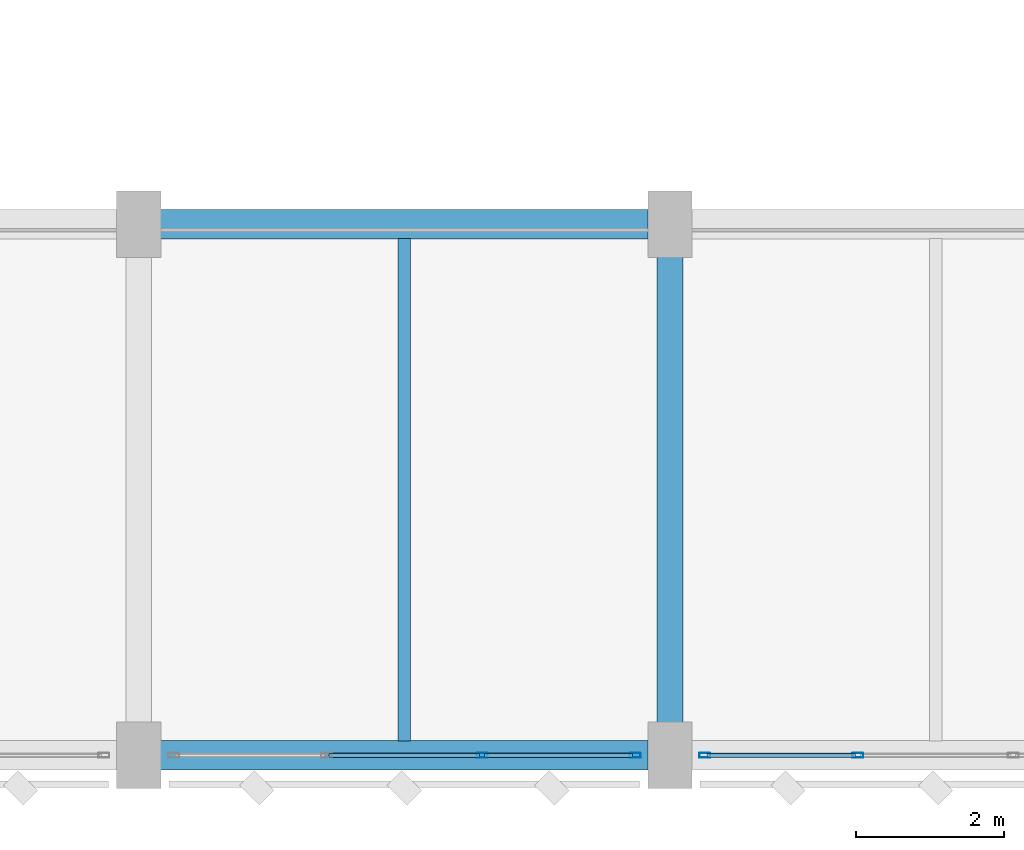
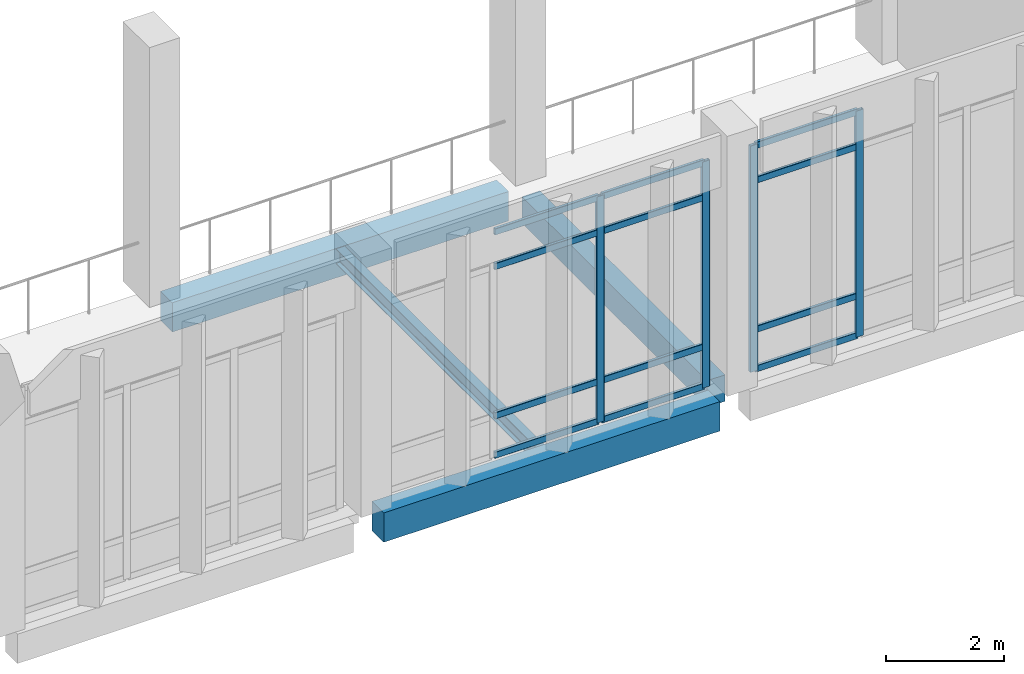
# One storey, part 99 of 180: 16 members, 4 beams, 2 elements without a shape of their own.
"""IFC4 building model written with IfcOpenShell, lengths in metres."""

from ifc_helpers import new_model, si_unit, direction, frame, origin, origin_2d, place, context, subcontext, project, spatial, rectangle, hollow_rectangle, i_section, extrude, material, material_profile, profile_set, type_object, element, aggregate, save


model = new_model("IFC4")

# Units and contexts
model_context = context("Model", 3, precision=1e-05, world=origin(), true_north=direction((0.0, 1.0)))
body_context = subcontext(model_context, "Body", "Model", "MODEL_VIEW")
ifc_project = project(units=[si_unit("LENGTHUNIT", "METRE"), si_unit("AREAUNIT", "SQUARE_METRE"), si_unit("VOLUMEUNIT", "CUBIC_METRE"), si_unit("PLANEANGLEUNIT", "RADIAN"), si_unit("MASSUNIT", "GRAM", prefix="KILO")], contexts=[model_context])

# Site, building, storey
site_placement = place(None, origin())
site = spatial("IfcSite", under=ifc_project, at=site_placement, CompositionType="ELEMENT")
building_placement = place(site_placement, origin())
building = spatial("IfcBuilding", under=site, at=building_placement, Name="Lusvemor Sports Hall", CompositionType="ELEMENT")
storey_placement = place(building_placement, frame((0.0, 0.0, 5.39990234375)))
storey = spatial("IfcBuildingStorey", under=building, at=storey_placement, Name="L01", CompositionType="ELEMENT", Elevation=5.39990234375)

# Beam
ifc_material_1 = material(Name="Concrete C40/50", Category="concrete")
ifc_material_profile_1 = material_profile(ifc_material_1, rectangle(XDim=0.35009765625, YDim=0.550048828125, at=origin_2d()), Name="RC350x550")
ifc_profile_set_1 = profile_set([ifc_material_profile_1], Name="Concrete C40/50")
beam_type_1 = type_object("IfcBeamType", Name="BEAM_RC_550", PredefinedType="BEAM", material=ifc_profile_set_1)
beam_1_placement = place(storey_placement, frame((154.800048828125, 0.446044921875, -0.534912109375), z_axis=(0.0, 1.0, 0.0), x_axis=(-1.0, 0.0, 0.0)))
element("IfcBeam", 1, at=beam_1_placement, inside=storey, type_object=beam_type_1, Name="Beam L01 18:A-B", PredefinedType="BEAM", context=body_context, shape_type="SweptSolid", body=[
    extrude(rectangle(XDim=0.35009765625, YDim=0.550048828125, at=origin_2d()), origin(), (0.0, 0.0, 1.0), 6.307861328125),
])

# Curtain wall, members
ifc_material_2 = material(Name="Thermally broken bronze-anodized aluminium", Category="aluminium")
curtain_wall_type = type_object("IfcCurtainWallType", Name="CW_COURT_C", PredefinedType="NOTDEFINED", material=ifc_material_2)
curtain_wall_1_placement = place(storey_placement, origin())
curtain_wall_1 = element("IfcCurtainWall", 2, at=curtain_wall_1_placement, inside=storey, type_object=curtain_wall_type, Name="Curtain Wall CW-V2S-L01-4", PredefinedType="NOTDEFINED")
ifc_material_3 = material(Name="Thermally broken bronze-anodized aluminium", Category="aluminium")
ifc_material_profile_2 = material_profile(ifc_material_3, hollow_rectangle(XDim=0.06494140625, YDim=0.14990234375, WallThickness=0.00390625, InnerFilletRadius=0.00390625, OuterFilletRadius=0.008056640625, at=origin_2d()), Name="CWMUL150x65x4")
ifc_profile_set_2 = profile_set([ifc_material_profile_2], Name="Thermally broken bronze-anodized aluminium")
member_type_1 = type_object("IfcMemberType", Name="CW_MUL_B", PredefinedType="MULLION", material=ifc_profile_set_2)
member_1_placement = place(storey_placement, frame((154.327392578125, 0.0, 0.0), z_axis=(0.0, 0.0, 1.0), x_axis=(0.0, -1.0, 0.0)))
member_1 = element("IfcMember", 3, at=member_1_placement, type_object=member_type_1, Name="CW03 mullion 1", PredefinedType="MULLION", context=body_context, shape_type="SweptSolid", body=[
    extrude(hollow_rectangle(XDim=0.06494140625, YDim=0.14990234375, WallThickness=0.00390625, InnerFilletRadius=0.00390625, OuterFilletRadius=0.008056640625, at=origin_2d()), origin(), (0.0, 0.0, 1.0), 4.7001953125),
])
member_2_placement = place(storey_placement, frame((152.25341796875, 0.0, 0.0), z_axis=(0.0, 0.0, 1.0), x_axis=(0.0, -1.0, 0.0)))
member_2 = element("IfcMember", 4, at=member_2_placement, type_object=member_type_1, Name="CW03 mullion 2", PredefinedType="MULLION", context=body_context, shape_type="SweptSolid", body=[
    extrude(hollow_rectangle(XDim=0.06494140625, YDim=0.14990234375, WallThickness=0.00390625, InnerFilletRadius=0.00390625, OuterFilletRadius=0.008056640625, at=origin_2d()), origin(), (0.0, 0.0, 1.0), 4.7001953125),
])

curtain_wall_2_placement = place(storey_placement, origin())
curtain_wall_2 = element("IfcCurtainWall", 5, at=curtain_wall_2_placement, inside=storey, type_object=curtain_wall_type, Name="Curtain Wall CW-V2S-L01-5", PredefinedType="NOTDEFINED")
member_3_placement = place(storey_placement, frame((157.3466796875, 0.0, 0.0), z_axis=(0.0, 0.0, 1.0), x_axis=(0.0, -1.0, 0.0)))
member_3 = element("IfcMember", 6, at=member_3_placement, type_object=member_type_1, Name="CW03 mullion 3", PredefinedType="MULLION", context=body_context, shape_type="SweptSolid", body=[
    extrude(hollow_rectangle(XDim=0.06494140625, YDim=0.14990234375, WallThickness=0.00390625, InnerFilletRadius=0.00390625, OuterFilletRadius=0.008056640625, at=origin_2d()), origin(), (0.0, 0.0, 1.0), 4.7001953125),
])
member_4_placement = place(storey_placement, frame((155.2724609375, 0.0, 0.0), z_axis=(0.0, 0.0, 1.0), x_axis=(0.0, -1.0, 0.0)))
member_4 = element("IfcMember", 7, at=member_4_placement, type_object=member_type_1, Name="CW03 mullion 4", PredefinedType="MULLION", context=body_context, shape_type="SweptSolid", body=[
    extrude(hollow_rectangle(XDim=0.06494140625, YDim=0.14990234375, WallThickness=0.00390625, InnerFilletRadius=0.00390625, OuterFilletRadius=0.008056640625, at=origin_2d()), origin(), (0.0, 0.0, 1.0), 4.7001953125),
])

# Member
ifc_material_4 = material(Name="Thermally broken bronze-anodized aluminium", Category="aluminium")
ifc_material_profile_3 = material_profile(ifc_material_4, hollow_rectangle(XDim=0.06005859375, YDim=0.135009765625, WallThickness=0.00390625, InnerFilletRadius=0.00390625, OuterFilletRadius=0.008056640625, at=origin_2d()), Name="CWTRN135x60x4")
ifc_profile_set_3 = profile_set([ifc_material_profile_3], Name="Thermally broken bronze-anodized aluminium")
member_type_2 = type_object("IfcMemberType", Name="CW_TRN_B", PredefinedType="USERDEFINED", material=ifc_profile_set_3)
member_5_placement = place(storey_placement, frame((154.294921875, 0.0, 0.030029296875), z_axis=(-1.0, 0.0, 0.0), x_axis=(0.0, -1.0, 0.0)))
member_5 = element("IfcMember", 8, at=member_5_placement, type_object=member_type_2, Name="CW03 transom 1.1", ObjectType="TRANSOM", PredefinedType="USERDEFINED", context=body_context, shape_type="SweptSolid", body=[
    extrude(hollow_rectangle(XDim=0.06005859375, YDim=0.135009765625, WallThickness=0.00390625, InnerFilletRadius=0.00390625, OuterFilletRadius=0.008056640625, at=origin_2d()), origin(), (0.0, 0.0, 1.0), 2.009033203125),
])

member_6_placement = place(storey_placement, frame((154.294921875, 0.0, 0.85009765625), z_axis=(-1.0, 0.0, 0.0), x_axis=(0.0, -1.0, 0.0)))
member_6 = element("IfcMember", 9, at=member_6_placement, type_object=member_type_2, Name="CW03 transom 1.2", ObjectType="TRANSOM", PredefinedType="USERDEFINED", context=body_context, shape_type="SweptSolid", body=[
    extrude(hollow_rectangle(XDim=0.06005859375, YDim=0.135009765625, WallThickness=0.00390625, InnerFilletRadius=0.00390625, OuterFilletRadius=0.008056640625, at=origin_2d()), origin(), (0.0, 0.0, 1.0), 2.009033203125),
])

member_7_placement = place(storey_placement, frame((154.294921875, 0.0, 3.9501953125), z_axis=(-1.0, 0.0, 0.0), x_axis=(0.0, -1.0, 0.0)))
member_7 = element("IfcMember", 10, at=member_7_placement, type_object=member_type_2, Name="CW03 transom 1.3", ObjectType="TRANSOM", PredefinedType="USERDEFINED", context=body_context, shape_type="SweptSolid", body=[
    extrude(hollow_rectangle(XDim=0.06005859375, YDim=0.135009765625, WallThickness=0.00390625, InnerFilletRadius=0.00390625, OuterFilletRadius=0.008056640625, at=origin_2d()), origin(), (0.0, 0.0, 1.0), 2.009033203125),
])

member_8_placement = place(storey_placement, frame((154.294921875, 0.0, 4.670166015625), z_axis=(-1.0, 0.0, 0.0), x_axis=(0.0, -1.0, 0.0)))
member_8 = element("IfcMember", 11, at=member_8_placement, type_object=member_type_2, Name="CW03 transom 1.4", ObjectType="TRANSOM", PredefinedType="USERDEFINED", context=body_context, shape_type="SweptSolid", body=[
    extrude(hollow_rectangle(XDim=0.06005859375, YDim=0.135009765625, WallThickness=0.00390625, InnerFilletRadius=0.00390625, OuterFilletRadius=0.008056640625, at=origin_2d()), origin(), (0.0, 0.0, 1.0), 2.009033203125),
])

member_9_placement = place(storey_placement, frame((152.220947265625, 0.0, 0.030029296875), z_axis=(-1.0, 0.0, 0.0), x_axis=(0.0, -1.0, 0.0)))
member_9 = element("IfcMember", 12, at=member_9_placement, type_object=member_type_2, Name="CW03 transom 2.1", ObjectType="TRANSOM", PredefinedType="USERDEFINED", context=body_context, shape_type="SweptSolid", body=[
    extrude(hollow_rectangle(XDim=0.06005859375, YDim=0.135009765625, WallThickness=0.00390625, InnerFilletRadius=0.00390625, OuterFilletRadius=0.008056640625, at=origin_2d()), origin(), (0.0, 0.0, 1.0), 2.041748046875),
])

member_10_placement = place(storey_placement, frame((152.220947265625, 0.0, 0.85009765625), z_axis=(-1.0, 0.0, 0.0), x_axis=(0.0, -1.0, 0.0)))
member_10 = element("IfcMember", 13, at=member_10_placement, type_object=member_type_2, Name="CW03 transom 2.2", ObjectType="TRANSOM", PredefinedType="USERDEFINED", context=body_context, shape_type="SweptSolid", body=[
    extrude(hollow_rectangle(XDim=0.06005859375, YDim=0.135009765625, WallThickness=0.00390625, InnerFilletRadius=0.00390625, OuterFilletRadius=0.008056640625, at=origin_2d()), origin(), (0.0, 0.0, 1.0), 2.041748046875),
])

member_11_placement = place(storey_placement, frame((152.220947265625, 0.0, 3.9501953125), z_axis=(-1.0, 0.0, 0.0), x_axis=(0.0, -1.0, 0.0)))
member_11 = element("IfcMember", 14, at=member_11_placement, type_object=member_type_2, Name="CW03 transom 2.3", ObjectType="TRANSOM", PredefinedType="USERDEFINED", context=body_context, shape_type="SweptSolid", body=[
    extrude(hollow_rectangle(XDim=0.06005859375, YDim=0.135009765625, WallThickness=0.00390625, InnerFilletRadius=0.00390625, OuterFilletRadius=0.008056640625, at=origin_2d()), origin(), (0.0, 0.0, 1.0), 2.041748046875),
])

member_12_placement = place(storey_placement, frame((152.220947265625, 0.0, 4.670166015625), z_axis=(-1.0, 0.0, 0.0), x_axis=(0.0, -1.0, 0.0)))
member_12 = element("IfcMember", 15, at=member_12_placement, type_object=member_type_2, Name="CW03 transom 2.4", ObjectType="TRANSOM", PredefinedType="USERDEFINED", context=body_context, shape_type="SweptSolid", body=[
    extrude(hollow_rectangle(XDim=0.06005859375, YDim=0.135009765625, WallThickness=0.00390625, InnerFilletRadius=0.00390625, OuterFilletRadius=0.008056640625, at=origin_2d()), origin(), (0.0, 0.0, 1.0), 2.041748046875),
])

aggregate(curtain_wall_1, [member_1, member_2, member_5, member_6, member_7, member_8, member_9, member_10, member_11, member_12])

member_13_placement = place(storey_placement, frame((157.314208984375, 0.0, 0.030029296875), z_axis=(-1.0, 0.0, 0.0), x_axis=(0.0, -1.0, 0.0)))
member_13 = element("IfcMember", 16, at=member_13_placement, type_object=member_type_2, Name="CW03 transom 3.1", ObjectType="TRANSOM", PredefinedType="USERDEFINED", context=body_context, shape_type="SweptSolid", body=[
    extrude(hollow_rectangle(XDim=0.06005859375, YDim=0.135009765625, WallThickness=0.00390625, InnerFilletRadius=0.00390625, OuterFilletRadius=0.008056640625, at=origin_2d()), origin(), (0.0, 0.0, 1.0), 2.00927734375),
])

member_14_placement = place(storey_placement, frame((157.314208984375, 0.0, 0.85009765625), z_axis=(-1.0, 0.0, 0.0), x_axis=(0.0, -1.0, 0.0)))
member_14 = element("IfcMember", 17, at=member_14_placement, type_object=member_type_2, Name="CW03 transom 3.2", ObjectType="TRANSOM", PredefinedType="USERDEFINED", context=body_context, shape_type="SweptSolid", body=[
    extrude(hollow_rectangle(XDim=0.06005859375, YDim=0.135009765625, WallThickness=0.00390625, InnerFilletRadius=0.00390625, OuterFilletRadius=0.008056640625, at=origin_2d()), origin(), (0.0, 0.0, 1.0), 2.00927734375),
])

member_15_placement = place(storey_placement, frame((157.314208984375, 0.0, 3.9501953125), z_axis=(-1.0, 0.0, 0.0), x_axis=(0.0, -1.0, 0.0)))
member_15 = element("IfcMember", 18, at=member_15_placement, type_object=member_type_2, Name="CW03 transom 3.3", ObjectType="TRANSOM", PredefinedType="USERDEFINED", context=body_context, shape_type="SweptSolid", body=[
    extrude(hollow_rectangle(XDim=0.06005859375, YDim=0.135009765625, WallThickness=0.00390625, InnerFilletRadius=0.00390625, OuterFilletRadius=0.008056640625, at=origin_2d()), origin(), (0.0, 0.0, 1.0), 2.00927734375),
])

member_16_placement = place(storey_placement, frame((157.314208984375, 0.0, 4.670166015625), z_axis=(-1.0, 0.0, 0.0), x_axis=(0.0, -1.0, 0.0)))
member_16 = element("IfcMember", 19, at=member_16_placement, type_object=member_type_2, Name="CW03 transom 3.4", ObjectType="TRANSOM", PredefinedType="USERDEFINED", context=body_context, shape_type="SweptSolid", body=[
    extrude(hollow_rectangle(XDim=0.06005859375, YDim=0.135009765625, WallThickness=0.00390625, InnerFilletRadius=0.00390625, OuterFilletRadius=0.008056640625, at=origin_2d()), origin(), (0.0, 0.0, 1.0), 2.00927734375),
])

aggregate(curtain_wall_2, [member_3, member_4, member_13, member_14, member_15, member_16])

# Beams
ifc_material_5 = material(Name="Steel S355", Category="steel")
ifc_material_profile_4 = material_profile(ifc_material_5, i_section(OverallWidth=0.1669921875, OverallDepth=0.31689453125, WebThickness=0.007568359375, FlangeThickness=0.01318359375, FilletRadius=0.014892578125, at=origin_2d()), Name="W310x52.0")
ifc_profile_set_4 = profile_set([ifc_material_profile_4], Name="Steel S355")
beam_type_2 = type_object("IfcBeamType", Name="JOIST_ST_310M", PredefinedType="JOIST", material=ifc_profile_set_4)
beam_2_placement = place(storey_placement, frame((151.199951171875, 0.196044921875, -0.42236328125), z_axis=(0.0, 1.0, 0.0), x_axis=(-1.0, 0.0, 0.0)))
element("IfcBeam", 20, at=beam_2_placement, inside=storey, type_object=beam_type_2, Name="Secondary Joist L01 17-18/A-B #1", PredefinedType="JOIST", context=body_context, shape_type="SweptSolid", body=[
    extrude(i_section(OverallWidth=0.1669921875, OverallDepth=0.31689453125, WebThickness=0.007568359375, FlangeThickness=0.01318359375, FilletRadius=0.014892578125, at=origin_2d()), origin(), (0.0, 0.0, 1.0), 6.807861328125),
])
ifc_material_6 = material(Name="Concrete C40/50", Category="concrete")
ifc_material_profile_5 = material_profile(ifc_material_6, rectangle(XDim=0.39990234375, YDim=0.610107421875, at=origin_2d()), Name="RC400x610")
ifc_profile_set_5 = profile_set([ifc_material_profile_5], Name="Concrete C40/50")
beam_type_3 = type_object("IfcBeamType", Name="SPAND_EXT_650", PredefinedType="SPANDREL", material=ifc_profile_set_5)
for number, where, z_axis, x_axis, name in (
    (21, (147.89599609375, 0.0, -0.56494140625), (1.0, 0.0, 0.0), (0.0, 1.0, 0.0), "Beam L01 A:17-18"),
    (22, (147.89599609375, 7.199951171875, -0.56494140625), (1.0, 0.0, 0.0), (0.0, 1.0, 0.0), "Beam L01 B:17-18"),
):
    element("IfcBeam", number, at=place(storey_placement, frame(where, z_axis=z_axis, x_axis=x_axis)), inside=storey, type_object=beam_type_3, Name=name, PredefinedType="SPANDREL", context=body_context, shape_type="SweptSolid", body=[
        extrude(rectangle(XDim=0.39990234375, YDim=0.610107421875, at=origin_2d()), origin(), (0.0, 0.0, 1.0), 6.60791015625),
    ])

save(model, "model.ifc")
